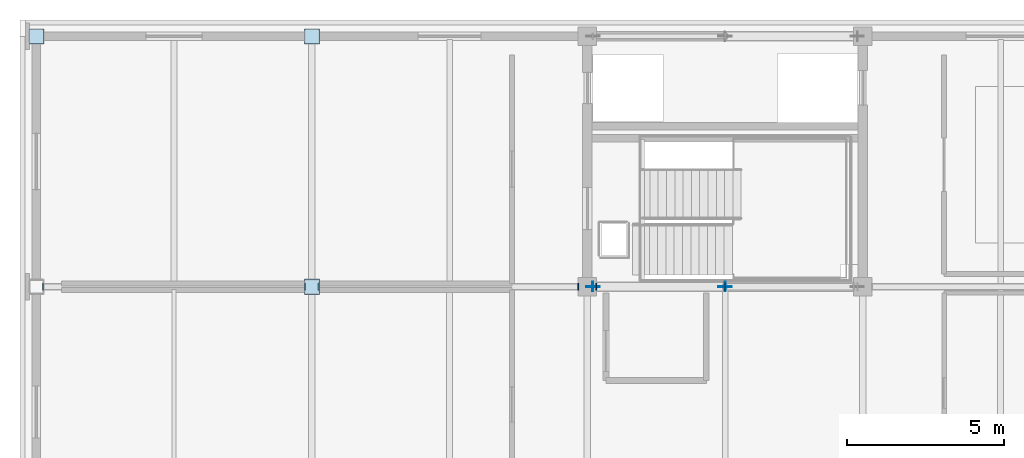
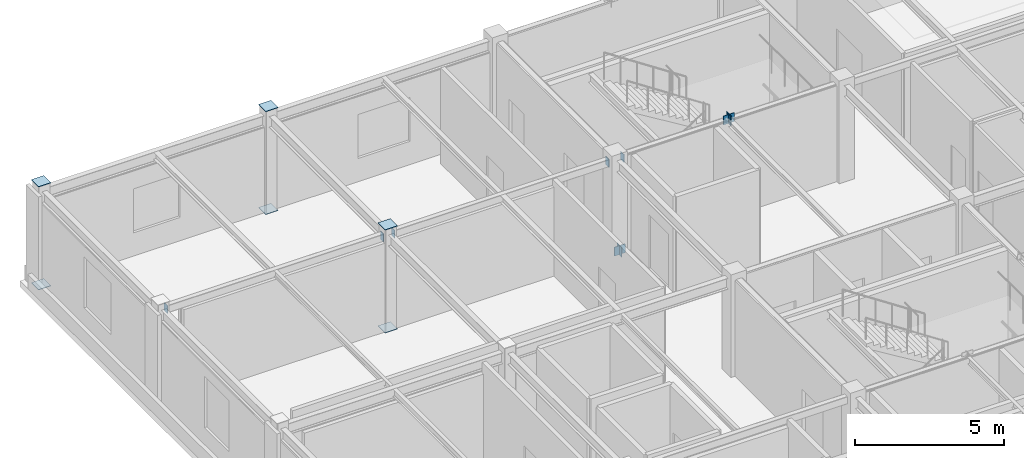
# One storey, part 9 of 18: 16 plates.
"""IFC4 building model written with IfcOpenShell, lengths in metres."""

from ifc_helpers import new_model, si_unit, direction, frame, origin, origin_2d, place, context, subcontext, project, spatial, rectangle, extrude, material, layer, layer_set, type_object, element, save


model = new_model("IFC4")

# Units and contexts
model_context = context("Model", 3, precision=1e-05, world=origin(), true_north=direction((0.0, 1.0)))
body_context = subcontext(model_context, "Body", "Model", "MODEL_VIEW")
ifc_project = project(units=[si_unit("LENGTHUNIT", "METRE"), si_unit("AREAUNIT", "SQUARE_METRE"), si_unit("VOLUMEUNIT", "CUBIC_METRE"), si_unit("PLANEANGLEUNIT", "RADIAN"), si_unit("MASSUNIT", "GRAM", prefix="KILO")], contexts=[model_context])

# Site, building, storey
site_placement = place(None, origin())
site = spatial("IfcSite", under=ifc_project, at=site_placement, CompositionType="ELEMENT")
building_placement = place(site_placement, origin())
building = spatial("IfcBuilding", under=site, at=building_placement, Name="Zhaolan Boulevard Law Courts", CompositionType="ELEMENT")
storey_placement = place(building_placement, frame((0.0, 0.0, 33.0)))
storey = spatial("IfcBuildingStorey", under=building, at=storey_placement, Name="L07", CompositionType="ELEMENT", Elevation=33.0)

# Plates
ifc_material_1 = material(Name="Structural steel Q355B", Category="steel")
ifc_layer_1 = layer(ifc_material_1, 0.02392578125)
ifc_layer_set_1 = layer_set([ifc_layer_1])
plate_type_1 = type_object("IfcPlateType", Name="BRACE GUSSET PLATE 24", PredefinedType="SHEET", material=ifc_layer_set_1)
for number, where, z_axis, x_axis, name in (
    (1, (17.780029296875, 62.0, -0.14990234375), (0.0, 0.0, 1.0), (1.0, 0.0, 0.0), "Brace Gusset Connection Plate GP-W2-L07-SA1"),
    (2, (22.0, 62.0, 3.73974609375), (0.0, 0.0, 1.0), (1.0, 0.0, 0.0), "Brace Gusset Connection Plate GP-W2-L07-SAPX"),
):
    element("IfcPlate", number, at=place(storey_placement, frame(where, z_axis=z_axis, x_axis=x_axis)), inside=storey, type_object=plate_type_1, Name=name, PredefinedType="SHEET", context=body_context, shape_type="SweptSolid", body=[
        extrude(rectangle(XDim=0.419921875, YDim=0.02392578125, at=origin_2d()), origin(), (0.0, 0.0, 1.0), 0.360107421875),
    ])
ifc_material_2 = material(Name="Structural steel Q355B", Category="steel")
ifc_layer_2 = layer(ifc_material_2, 0.02001953125)
ifc_layer_set_2 = layer_set([ifc_layer_2])
plate_type_2 = type_object("IfcPlateType", Name="END CAP PLATE 20", PredefinedType="SHEET", material=ifc_layer_set_2)
for number, where, z_axis, x_axis, name in (
    (3, (0.0, 70.0, -0.01806640625), (0.0, 0.0, 1.0), (1.0, 0.0, 0.0), "Hollow Section End-Cap Plate ECP-0125"),
    (4, (0.0, 70.0, 4.197998046875), (0.0, 0.0, 1.0), (1.0, 0.0, 0.0), "Hollow Section End-Cap Plate ECP-0126"),
    (5, (8.800048828125, 62.0, -0.01806640625), (0.0, 0.0, 1.0), (1.0, 0.0, 0.0), "Hollow Section End-Cap Plate ECP-0237"),
    (6, (8.800048828125, 62.0, 4.197998046875), (0.0, 0.0, 1.0), (1.0, 0.0, 0.0), "Hollow Section End-Cap Plate ECP-0238"),
    (7, (8.800048828125, 70.0, -0.01806640625), (0.0, 0.0, 1.0), (1.0, 0.0, 0.0), "Hollow Section End-Cap Plate ECP-0259"),
    (8, (8.800048828125, 70.0, 4.197998046875), (0.0, 0.0, 1.0), (1.0, 0.0, 0.0), "Hollow Section End-Cap Plate ECP-0260"),
):
    element("IfcPlate", number, at=place(storey_placement, frame(where, z_axis=z_axis, x_axis=x_axis)), inside=storey, type_object=plate_type_2, Name=name, PredefinedType="SHEET", context=body_context, shape_type="SweptSolid", body=[
        extrude(rectangle(XDim=0.47998046875, YDim=0.47998046875, at=origin_2d()), origin(), (0.0, 0.0, 1.0), 0.02001953125),
    ])
for number, where, z_axis, x_axis, name in (
    (9, (0.212890625, 62.0, 3.633056640625), (0.0, 0.0, 1.0), (1.0, 0.0, 0.0), "Hollow Section End-Cap Plate ECP-1029"),
    (10, (8.5869140625, 62.0, 3.633056640625), (0.0, 0.0, 1.0), (1.0, 0.0, 0.0), "Hollow Section End-Cap Plate ECP-1030"),
    (11, (9.012939453125, 62.0, 3.633056640625), (0.0, 0.0, 1.0), (1.0, 0.0, 0.0), "Hollow Section End-Cap Plate ECP-1031"),
    (12, (17.31201171875, 62.0, 3.633056640625), (0.0, 0.0, 1.0), (1.0, 0.0, 0.0), "Hollow Section End-Cap Plate ECP-1032"),
    (13, (17.887939453125, 62.0, 3.633056640625), (0.0, 0.0, 1.0), (1.0, 0.0, 0.0), "Hollow Section End-Cap Plate ECP-1033"),
):
    element("IfcPlate", number, at=place(storey_placement, frame(where, z_axis=z_axis, x_axis=x_axis)), inside=storey, type_object=plate_type_2, Name=name, PredefinedType="SHEET", context=body_context, shape_type="SweptSolid", body=[
        extrude(rectangle(XDim=0.02001953125, YDim=0.22998046875, at=origin_2d()), origin(), (0.0, 0.0, 1.0), 0.330078125),
    ])
for number, where, z_axis, x_axis, name in (
    (14, (17.774169921875, 62.0, -0.181396484375), (0.0, 0.0, 1.0), (1.0, 0.0, 0.0), "Hollow Section End-Cap Plate ECP-1203"),
    (15, (22.005859375, 62.0, 3.71923828125), (0.0, 0.0, 1.0), (1.0, 0.0, 0.0), "Hollow Section End-Cap Plate ECP-1204"),
):
    element("IfcPlate", number, at=place(storey_placement, frame(where, z_axis=z_axis, x_axis=x_axis)), inside=storey, type_object=plate_type_2, Name=name, PredefinedType="SHEET", context=body_context, shape_type="SweptSolid", body=[
        extrude(rectangle(XDim=0.02001953125, YDim=0.302978515625, at=origin_2d()), origin(), (0.0, 0.0, 1.0), 0.412109375),
    ])
plate_placement = place(storey_placement, frame((21.994140625, 62.0, 3.755859375), z_axis=(0.0, 0.0, 1.0), x_axis=(-1.0, 0.0, 0.0)))
element("IfcPlate", 16, at=plate_placement, inside=storey, type_object=plate_type_2, Name="Hollow Section End-Cap Plate ECP-1206", PredefinedType="SHEET", context=body_context, shape_type="SweptSolid", body=[
    extrude(rectangle(XDim=0.02001953125, YDim=0.2490234375, at=origin_2d()), origin(), (0.0, 0.0, 1.0), 0.339111328125),
])

save(model, "model.ifc")
